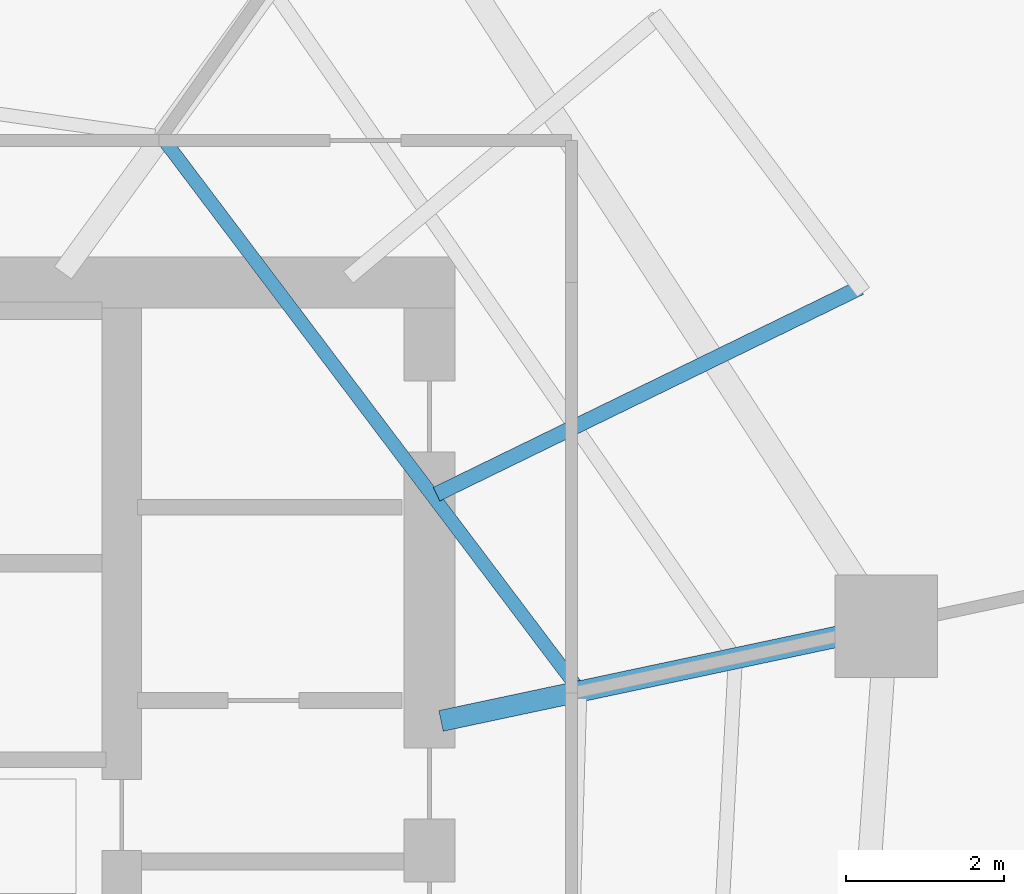
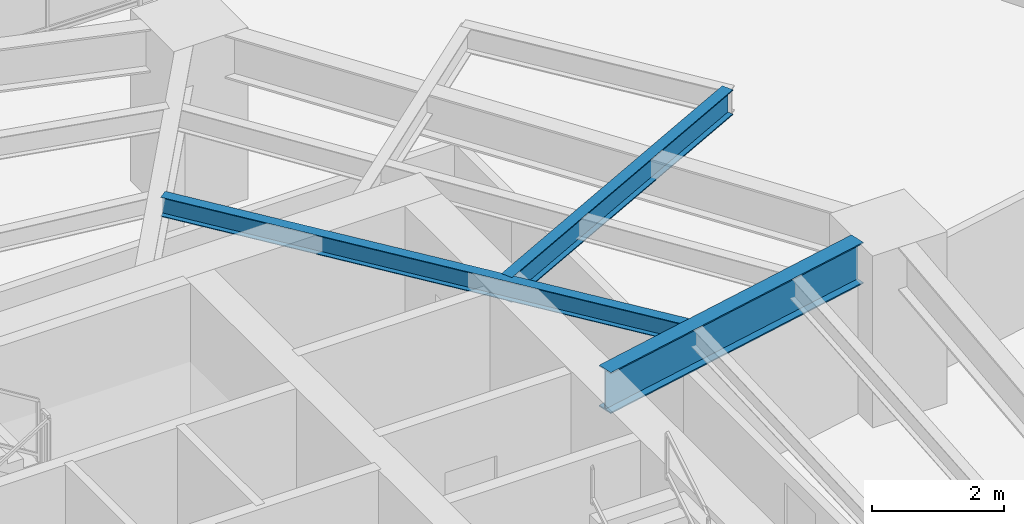
# One storey, part 14 of 31: 3 beams.
"""IFC4 building model written with IfcOpenShell, lengths in metres."""

from ifc_helpers import new_model, si_unit, direction, frame, origin, origin_2d, place, context, subcontext, project, spatial, i_section, extrude, material, material_profile, profile_set, type_object, element, save


model = new_model("IFC4")

# Units and contexts
model_context = context("Model", 3, precision=1e-05, world=origin(), true_north=direction((0.0, 1.0)))
body_context = subcontext(model_context, "Body", "Model", "MODEL_VIEW")
ifc_project = project(units=[si_unit("LENGTHUNIT", "METRE"), si_unit("AREAUNIT", "SQUARE_METRE"), si_unit("VOLUMEUNIT", "CUBIC_METRE"), si_unit("PLANEANGLEUNIT", "RADIAN"), si_unit("MASSUNIT", "GRAM", prefix="KILO")], contexts=[model_context])

# Site, building, storey
site_placement = place(None, origin())
site = spatial("IfcSite", under=ifc_project, at=site_placement, CompositionType="ELEMENT")
building_placement = place(site_placement, origin())
building = spatial("IfcBuilding", under=site, at=building_placement, Name="Qarnah Convention Tower", CompositionType="ELEMENT")
storey_placement = place(building_placement, frame((0.0, 0.0, 64.949951171875)))
storey = spatial("IfcBuildingStorey", under=building, at=storey_placement, Name="L16", CompositionType="ELEMENT", Elevation=64.949951171875)

# Beams
ifc_material = material(Name="Structural steel S355JR", Category="steel")
ifc_material_profile_1 = material_profile(ifc_material, i_section(OverallWidth=0.19189453125, OverallDepth=0.464111328125, WebThickness=0.010986328125, FlangeThickness=0.01806640625, at=origin_2d()), Name="W460X89")
ifc_profile_set_1 = profile_set([ifc_material_profile_1], Name="Structural steel S355JR")
beam_type_1 = type_object("IfcBeamType", Name="BM-CANT-W460A", PredefinedType="BEAM", material=ifc_profile_set_1)
beam_1_placement = place(storey_placement, frame((47.68994140625, 31.51611328125, 2.93798828125), z_axis=(0.898845814475, 0.438264990388, 0.0), x_axis=(-0.438264990388, 0.898845814475, 0.0)))
element("IfcBeam", 1, at=beam_1_placement, inside=storey, type_object=beam_type_1, Name="L16 beam BM-L16-CNT-01-1", PredefinedType="BEAM", context=body_context, shape_type="SweptSolid", body=[
    extrude(i_section(OverallWidth=0.19189453125, OverallDepth=0.464111328125, WebThickness=0.010986328125, FlangeThickness=0.01806640625, at=origin_2d()), origin(), (0.0, 0.0, 1.0), 5.973388671875),
])
ifc_material_profile_2 = material_profile(ifc_material, i_section(OverallWidth=0.172119140625, OverallDepth=0.35595703125, WebThickness=0.007080078125, FlangeThickness=0.011962890625, at=origin_2d()), Name="W360X51")
ifc_profile_set_2 = profile_set([ifc_material_profile_2], Name="Structural steel S355JR")
beam_type_2 = type_object("IfcBeamType", Name="BM-JST-W360", PredefinedType="JOIST", material=ifc_profile_set_2)
beam_2_placement = place(storey_placement, frame((49.4560546875, 29.089111328125, 2.991943359375), z_axis=(-0.602443320638, 0.798161666217, 0.0), x_axis=(-0.798161666217, -0.602443320638, 0.0)))
element("IfcBeam", 2, at=beam_2_placement, inside=storey, type_object=beam_type_2, Name="L16 joist BM-L16-IJST-01", PredefinedType="JOIST", context=body_context, shape_type="SweptSolid", body=[
    extrude(i_section(OverallWidth=0.172119140625, OverallDepth=0.35595703125, WebThickness=0.007080078125, FlangeThickness=0.011962890625, at=origin_2d()), origin(), (0.0, 0.0, 1.0), 8.623291015625),
])
ifc_material_profile_3 = material_profile(ifc_material, i_section(OverallWidth=0.26806640625, OverallDepth=0.760009765625, WebThickness=0.014892578125, FlangeThickness=0.02197265625, at=origin_2d()), Name="W760X185")
ifc_profile_set_3 = profile_set([ifc_material_profile_3], Name="Structural steel S355JR")
beam_type_3 = type_object("IfcBeamType", Name="BM-RAD-W760", PredefinedType="BEAM", material=ifc_profile_set_3)
beam_3_placement = place(storey_placement, frame((47.7470703125, 28.64208984375, 2.7900390625), z_axis=(0.978155710431, 0.207873534031, 0.0), x_axis=(-0.207873534031, 0.978155710431, 0.0)))
element("IfcBeam", 3, at=beam_3_placement, inside=storey, type_object=beam_type_3, Name="L16 beam BM-L16-RAD-01", PredefinedType="BEAM", context=body_context, shape_type="SweptSolid", body=[
    extrude(i_section(OverallWidth=0.26806640625, OverallDepth=0.760009765625, WebThickness=0.014892578125, FlangeThickness=0.02197265625, at=origin_2d()), origin(), (0.0, 0.0, 1.0), 5.13720703125),
])

save(model, "model.ifc")
